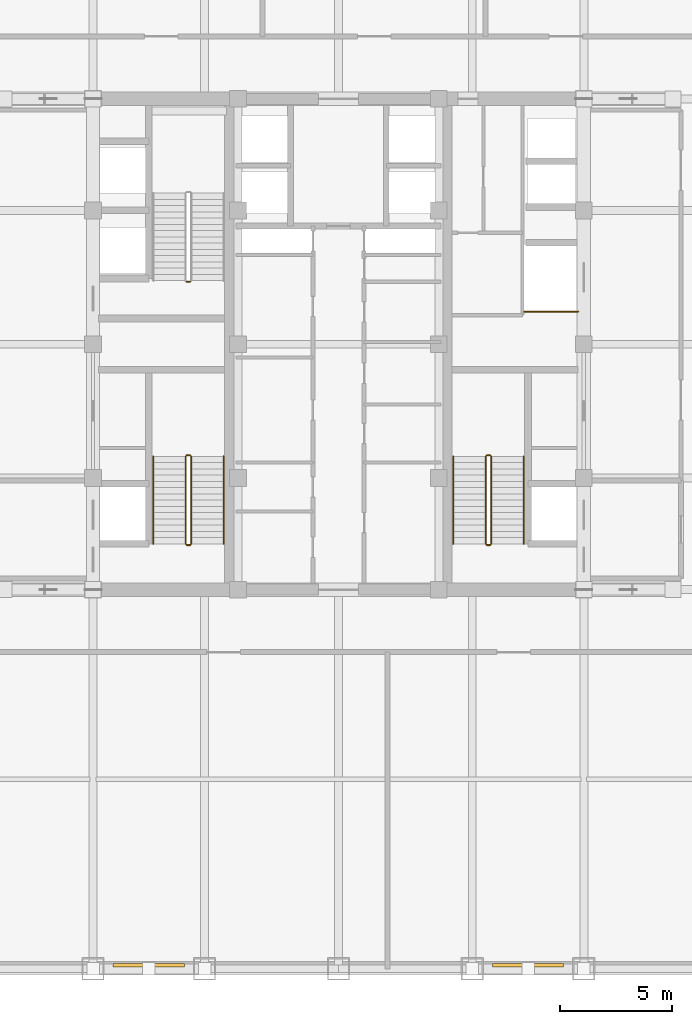
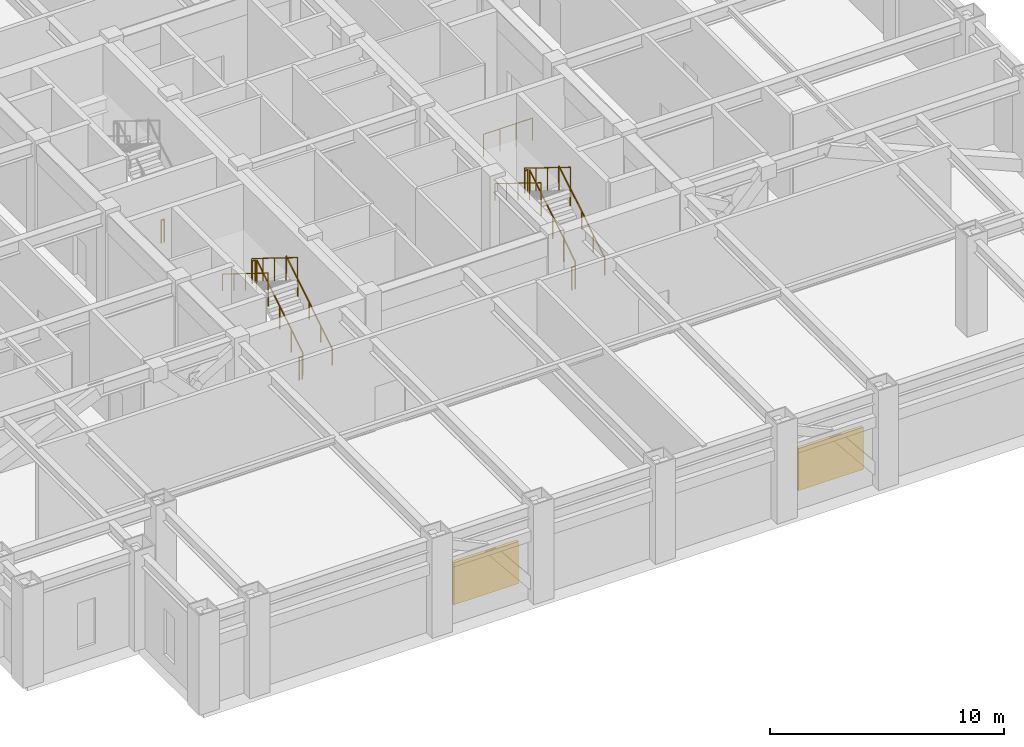
# One storey, part 10 of 11: 14 railings, 2 shading devices.
"""IFC4 building model written with IfcOpenShell, lengths in metres."""

from ifc_helpers import new_model, si_unit, direction, frame, origin, origin_2d, place, context, subcontext, project, spatial, rectangle, circle, extrude, source, transform, mapped, material, layer, layer_set, type_object, element, save


model = new_model("IFC4")

# Units and contexts
model_context = context("Model", 3, precision=1e-05, world=origin(), true_north=direction((0.0, 1.0)))
body_context = subcontext(model_context, "Body", "Model", "MODEL_VIEW")
ifc_project = project(units=[si_unit("LENGTHUNIT", "METRE"), si_unit("AREAUNIT", "SQUARE_METRE"), si_unit("VOLUMEUNIT", "CUBIC_METRE"), si_unit("PLANEANGLEUNIT", "RADIAN"), si_unit("MASSUNIT", "GRAM", prefix="KILO")], contexts=[model_context])

# Site, building, storey
site_placement = place(None, origin())
site = spatial("IfcSite", under=ifc_project, at=site_placement, CompositionType="ELEMENT")
building_placement = place(site_placement, origin())
building = spatial("IfcBuilding", under=site, at=building_placement, Name="Khorayat Bourse Tower", CompositionType="ELEMENT")
storey_placement = place(building_placement, frame((0.0, 0.0, 268.300048828125)))
storey = spatial("IfcBuildingStorey", under=building, at=storey_placement, Name="L63", CompositionType="ELEMENT", Elevation=268.300048828125)

# Shading devices
ifc_material_1 = material(Name="Anodised champagne aluminium", Category="aluminium")
ifc_layer = layer(ifc_material_1, 0.14990234375)
ifc_layer_set = layer_set([ifc_layer], Name="Anodised champagne aluminium")
shading_device_type = type_object("IfcShadingDeviceType", Name="SHD-PLANT-LOUVRE", PredefinedType="JALOUSIE", material=ifc_layer_set)
shared_shape_1 = source(origin(), body_context, "Body", "SweptSolid", [
    extrude(rectangle(XDim=3.199951171875, YDim=0.14990234375, at=origin_2d()), origin(), (0.0, 0.0, 1.0), 2.199951171875),
])
for number, where, z_axis, x_axis, name in (
    (1, (-8.5, -27.840087890625, 0.89990234375), (0.0, 0.0, 1.0), (1.0, 0.0, 0.0), "L63 Acoustic Plant Intake Louvre S-1"),
    (2, (8.5, -27.840087890625, 0.89990234375), (0.0, 0.0, 1.0), (1.0, 0.0, 0.0), "L63 Acoustic Plant Intake Louvre S-2"),
):
    element("IfcShadingDevice", number, at=place(storey_placement, frame(where, z_axis=z_axis, x_axis=x_axis)), inside=storey, type_object=shading_device_type, Name=name, PredefinedType="JALOUSIE", context=body_context, shape_type="MappedRepresentation", body=[
        mapped(shared_shape_1, transform((0.0, 0.0, 0.0), scale=1.0)),
    ])

# Railings
ifc_material_2 = material(Name="Powder-coated steel balustrade", Category="steel")
railing_type_1 = type_object("IfcRailingType", Name="RLG-GUARD-1200", PredefinedType="GUARDRAIL", material=ifc_material_2)
shared_shape_2 = source(origin(), body_context, "Body", "SweptSolid", [
    extrude(circle(Radius=0.02392578125, at=origin_2d()), frame((0.0, 0.0, 1.17578125), z_axis=(-1.0, 0.0, 0.0), x_axis=(0.0, -1.0, 0.0)), (0.0, 0.0, 1.0), 0.150146484375),
    extrude(circle(Radius=0.02099609375, at=origin_2d()), origin(), (0.0, 0.0, 1.0), 1.15185546875),
    extrude(circle(Radius=0.02099609375, at=origin_2d()), frame((-0.150146484375, 0.0, 0.0)), (0.0, 0.0, 1.0), 1.15185546875),
])
for number, where, name in (
    (3, (-6.64990234375, -4.97998046875, 2.599853515625), "L63 ST-1 stair guard 2"),
    (4, (-6.64990234375, -9.0, 0.0), "L63 ST-1 stair guard 4"),
    (5, (-6.64990234375, 2.800048828125, 0.0), "L63 ST-2 stair guard 4"),
    (6, (6.800048828125, -4.97998046875, 2.599853515625), "L63 ST-3 stair guard 2"),
    (7, (6.800048828125, -9.0, 0.0), "L63 ST-3 stair guard 4"),
):
    element("IfcRailing", number, at=place(storey_placement, frame(where)), inside=storey, type_object=railing_type_1, Name=name, PredefinedType="GUARDRAIL", context=body_context, shape_type="MappedRepresentation", body=[
        mapped(shared_shape_2, transform((0.0, 0.0, 0.0), scale=1.0)),
    ])
shared_shape_3 = source(origin(), body_context, "Body", "SweptSolid", [
    extrude(circle(Radius=0.02392578125, at=origin_2d()), frame((0.0, 0.0, 1.17578125), z_axis=(0.0, -0.850251603719, 0.526376491091), x_axis=(1.0, 0.0, 0.0)), (0.0, 0.0, 1.0), 4.6103515625),
    extrude(circle(Radius=0.02099609375, at=origin_2d()), origin(), (0.0, 0.0, 1.0), 1.15185546875),
    extrude(circle(Radius=0.02099609375, at=origin_2d()), frame((0.0, -0.97998046875, 0.606689453125)), (0.0, 0.0, 1.0), 1.15185546875),
    extrude(circle(Radius=0.02099609375, at=origin_2d()), frame((0.0, -1.9599609375, 1.21337890625)), (0.0, 0.0, 1.0), 1.15185546875),
    extrude(circle(Radius=0.02099609375, at=origin_2d()), frame((0.0, -2.93994140625, 1.820068359375)), (0.0, 0.0, 1.0), 1.15185546875),
    extrude(circle(Radius=0.02099609375, at=origin_2d()), frame((0.0, -3.919921875, 2.4267578125)), (0.0, 0.0, 1.0), 1.15185546875),
])
for number, where, name in (
    (8, (-6.85009765625, -5.030029296875, 2.773193359375), "L63 ST-1 stair guard 3"),
    (9, (6.60009765625, -5.030029296875, 2.773193359375), "L63 ST-3 stair guard 3"),
):
    element("IfcRailing", number, at=place(storey_placement, frame(where)), inside=storey, type_object=railing_type_1, Name=name, PredefinedType="GUARDRAIL", context=body_context, shape_type="MappedRepresentation", body=[
        mapped(shared_shape_3, transform((0.0, 0.0, 0.0), scale=1.0)),
    ])
ifc_material_3 = material(Name="Brushed bronze stainless-steel handrail", Category="steel")
railing_type_2 = type_object("IfcRailingType", Name="RLG-HAND-900", PredefinedType="HANDRAIL", material=ifc_material_3)
shared_shape_4 = source(origin(), body_context, "Body", "SweptSolid", [
    extrude(circle(Radius=0.02392578125, at=origin_2d()), frame((0.0, 0.0, 0.8759765625), z_axis=(0.0, -0.850251603719, 0.526376491091), x_axis=(1.0, 0.0, 0.0)), (0.0, 0.0, 1.0), 4.6103515625),
    extrude(circle(Radius=0.02099609375, at=origin_2d()), origin(), (0.0, 0.0, 1.0), 0.851806640625),
    extrude(circle(Radius=0.02099609375, at=origin_2d()), frame((0.0, -0.97998046875, 0.606689453125)), (0.0, 0.0, 1.0), 0.851806640625),
    extrude(circle(Radius=0.02099609375, at=origin_2d()), frame((0.0, -1.9599609375, 1.21337890625)), (0.0, 0.0, 1.0), 0.851806640625),
    extrude(circle(Radius=0.02099609375, at=origin_2d()), frame((0.0, -2.93994140625, 1.820068359375)), (0.0, 0.0, 1.0), 0.851806640625),
    extrude(circle(Radius=0.02099609375, at=origin_2d()), frame((0.0, -3.919921875, 2.4267578125)), (0.0, 0.0, 1.0), 0.851806640625),
])
for number, where, name in (
    (10, (-8.300048828125, -5.030029296875, 2.773193359375), "L63 ST-1 stair handrail 2"),
    (11, (5.14990234375, -5.030029296875, 2.773193359375), "L63 ST-3 stair handrail 2"),
):
    element("IfcRailing", number, at=place(storey_placement, frame(where)), inside=storey, type_object=railing_type_2, Name=name, PredefinedType="HANDRAIL", context=body_context, shape_type="MappedRepresentation", body=[
        mapped(shared_shape_4, transform((0.0, 0.0, 0.0), scale=1.0)),
    ])
shared_shape_5 = source(origin(), body_context, "Body", "SweptSolid", [
    extrude(circle(Radius=0.02392578125, at=origin_2d()), frame((0.0, 0.0, 1.17578125), z_axis=(0.0, 0.850275303828, 0.526338206574), x_axis=(-1.0, 0.0, 0.0)), (0.0, 0.0, 1.0), 4.610107421875),
    extrude(circle(Radius=0.02099609375, at=origin_2d()), origin(), (0.0, 0.0, 1.0), 1.15185546875),
    extrude(circle(Radius=0.02099609375, at=origin_2d()), frame((0.0, 0.97998046875, 0.606689453125)), (0.0, 0.0, 1.0), 1.15185546875),
    extrude(circle(Radius=0.02099609375, at=origin_2d()), frame((0.0, 1.9599609375, 1.21337890625)), (0.0, 0.0, 1.0), 1.15185546875),
    extrude(circle(Radius=0.02099609375, at=origin_2d()), frame((0.0, 2.93994140625, 1.81982421875)), (0.0, 0.0, 1.0), 1.15185546875),
    extrude(circle(Radius=0.02099609375, at=origin_2d()), frame((0.0, 3.919921875, 2.426513671875)), (0.0, 0.0, 1.0), 1.15185546875),
])
for number, where, name in (
    (12, (-6.60009765625, -8.949951171875, 0.17333984375), "L63 ST-1 stair guard 1"),
    (13, (6.85009765625, -8.949951171875, 0.17333984375), "L63 ST-3 stair guard 1"),
):
    element("IfcRailing", number, at=place(storey_placement, frame(where)), inside=storey, type_object=railing_type_1, Name=name, PredefinedType="GUARDRAIL", context=body_context, shape_type="MappedRepresentation", body=[
        mapped(shared_shape_5, transform((0.0, 0.0, 0.0), scale=1.0)),
    ])
shared_shape_6 = source(origin(), body_context, "Body", "SweptSolid", [
    extrude(circle(Radius=0.02392578125, at=origin_2d()), frame((0.0, 0.0, 0.8759765625), z_axis=(0.0, 0.850275303828, 0.526338206574), x_axis=(-1.0, 0.0, 0.0)), (0.0, 0.0, 1.0), 4.610107421875),
    extrude(circle(Radius=0.02099609375, at=origin_2d()), origin(), (0.0, 0.0, 1.0), 0.851806640625),
    extrude(circle(Radius=0.02099609375, at=origin_2d()), frame((0.0, 0.97998046875, 0.606689453125)), (0.0, 0.0, 1.0), 0.851806640625),
    extrude(circle(Radius=0.02099609375, at=origin_2d()), frame((0.0, 1.9599609375, 1.21337890625)), (0.0, 0.0, 1.0), 0.851806640625),
    extrude(circle(Radius=0.02099609375, at=origin_2d()), frame((0.0, 2.93994140625, 1.81982421875)), (0.0, 0.0, 1.0), 0.851806640625),
    extrude(circle(Radius=0.02099609375, at=origin_2d()), frame((0.0, 3.919921875, 2.426513671875)), (0.0, 0.0, 1.0), 0.851806640625),
])
for number, where, name in (
    (14, (-5.14990234375, -8.949951171875, 0.17333984375), "L63 ST-1 stair handrail 1"),
    (15, (8.300048828125, -8.949951171875, 0.17333984375), "L63 ST-3 stair handrail 1"),
):
    element("IfcRailing", number, at=place(storey_placement, frame(where)), inside=storey, type_object=railing_type_2, Name=name, PredefinedType="HANDRAIL", context=body_context, shape_type="MappedRepresentation", body=[
        mapped(shared_shape_6, transform((0.0, 0.0, 0.0), scale=1.0)),
    ])
shared_shape_7 = source(origin(), body_context, "Body", "SweptSolid", [
    extrude(circle(Radius=0.02392578125, at=origin_2d()), frame((0.0, 0.0, 1.17578125), z_axis=(1.0, 0.0, 0.0), x_axis=(0.0, 1.0, 0.0)), (0.0, 0.0, 1.0), 2.429931640625),
    extrude(circle(Radius=0.02099609375, at=origin_2d()), origin(), (0.0, 0.0, 1.0), 1.15185546875),
    extrude(circle(Radius=0.02099609375, at=origin_2d()), frame((0.81005859375, 0.0, 0.0)), (0.0, 0.0, 1.0), 1.15185546875),
    extrude(circle(Radius=0.02099609375, at=origin_2d()), frame((1.619873046875, 0.0, 0.0)), (0.0, 0.0, 1.0), 1.15185546875),
    extrude(circle(Radius=0.02099609375, at=origin_2d()), frame((2.429931640625, 0.0, 0.0)), (0.0, 0.0, 1.0), 1.15185546875),
])
railing_placement = place(storey_placement, frame((8.320068359375, 1.4599609375, 0.0)))
element("IfcRailing", 16, at=railing_placement, inside=storey, type_object=railing_type_1, Name="L63 Goods Shaft Opening Guardrail", PredefinedType="GUARDRAIL", context=body_context, shape_type="MappedRepresentation", body=[
    mapped(shared_shape_7, transform((0.0, 0.0, 0.0), scale=1.0)),
])

save(model, "model.ifc")
